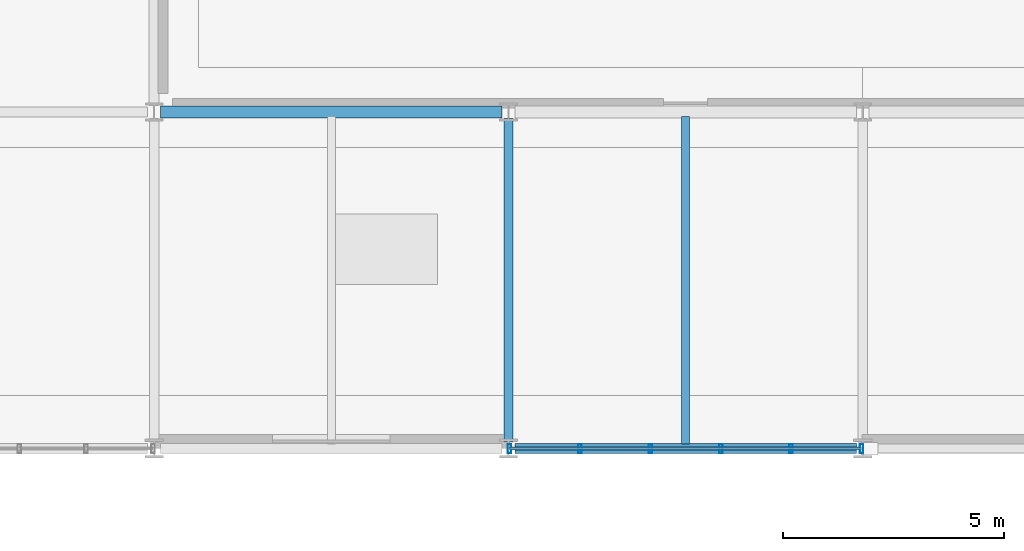
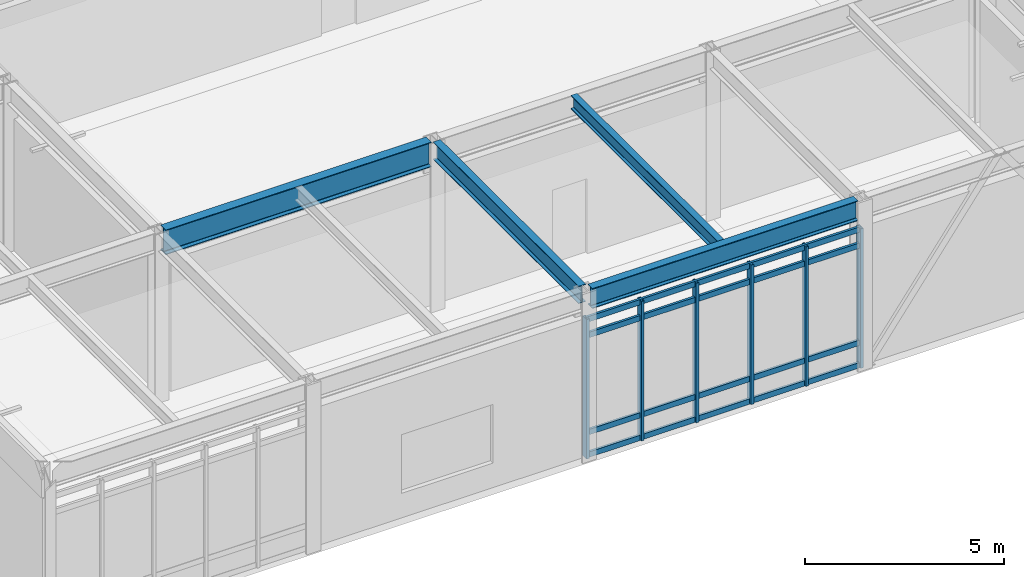
# One storey, part 51 of 94: 10 members, 4 beams, 1 element without a shape of its own.
"""IFC4 building model written with IfcOpenShell, lengths in metres."""

from ifc_helpers import new_model, si_unit, direction, frame, origin, origin_2d, place, context, subcontext, project, spatial, hollow_rectangle, i_section, extrude, material, material_profile, profile_set, type_object, element, aggregate, save


model = new_model("IFC4")

# Units and contexts
model_context = context("Model", 3, precision=1e-05, world=origin(), true_north=direction((0.0, 1.0)))
body_context = subcontext(model_context, "Body", "Model", "MODEL_VIEW")
ifc_project = project(units=[si_unit("LENGTHUNIT", "METRE"), si_unit("AREAUNIT", "SQUARE_METRE"), si_unit("VOLUMEUNIT", "CUBIC_METRE"), si_unit("PLANEANGLEUNIT", "RADIAN"), si_unit("MASSUNIT", "GRAM", prefix="KILO")], contexts=[model_context])

# Site, building, storey
site_placement = place(None, origin())
site = spatial("IfcSite", under=ifc_project, at=site_placement, CompositionType="ELEMENT")
building_placement = place(site_placement, origin())
building = spatial("IfcBuilding", under=site, at=building_placement, Name="Zulena Civic Courthouse", CompositionType="ELEMENT")
storey_placement = place(building_placement, frame((0.0, 0.0, 5.39990234375)))
storey = spatial("IfcBuildingStorey", under=building, at=storey_placement, Name="L01", CompositionType="ELEMENT", Elevation=5.39990234375)

# Curtain wall, members
ifc_material_1 = material(Name="Double-silver low-E laminated solar-control glass", Category="glass")
curtain_wall_type = type_object("IfcCurtainWallType", Name="CW_7952x4280", PredefinedType="USERDEFINED", material=ifc_material_1)
curtain_wall_placement = place(storey_placement, origin())
curtain_wall = element("IfcCurtainWall", 1, at=curtain_wall_placement, inside=storey, type_object=curtain_wall_type, Name="cw:V1:L01:3:3", ObjectType="UNITISED CURTAIN WALL", PredefinedType="USERDEFINED")
ifc_material_2 = material(Name="Bronze anodised thermally broken aluminium AA6063-T6", Category="aluminium")
ifc_material_profile_1 = material_profile(ifc_material_2, hollow_rectangle(XDim=0.080078125, YDim=0.199951171875, WallThickness=0.0048828125, at=origin_2d()), Name="CWM200X80X5")
ifc_profile_set_1 = profile_set([ifc_material_profile_1], Name="Bronze anodised thermally broken aluminium AA6063-T6")
member_type_1 = type_object("IfcMemberType", Name="CWMullion_200x80", PredefinedType="MULLION", material=ifc_profile_set_1)
member_1_placement = place(storey_placement, frame((147.97607421875, 0.0, 0.0), z_axis=(0.0, 0.0, 1.0), x_axis=(1.0, 0.0, 0.0)))
member_1 = element("IfcMember", 2, at=member_1_placement, type_object=member_type_1, Name="cw:V1:L01:3:3:mull:0", PredefinedType="MULLION", context=body_context, shape_type="SweptSolid", body=[
    extrude(hollow_rectangle(XDim=0.080078125, YDim=0.199951171875, WallThickness=0.0048828125, at=origin_2d()), origin(), (0.0, 0.0, 1.0), 4.280029296875),
])
member_2_placement = place(storey_placement, frame((146.385498046875, 0.0, 0.0), z_axis=(0.0, 0.0, 1.0), x_axis=(1.0, 0.0, 0.0)))
member_2 = element("IfcMember", 3, at=member_2_placement, type_object=member_type_1, Name="cw:V1:L01:3:3:mull:1", PredefinedType="MULLION", context=body_context, shape_type="SweptSolid", body=[
    extrude(hollow_rectangle(XDim=0.080078125, YDim=0.199951171875, WallThickness=0.0048828125, at=origin_2d()), origin(), (0.0, 0.0, 1.0), 4.280029296875),
])
member_3_placement = place(storey_placement, frame((144.795166015625, 0.0, 0.0), z_axis=(0.0, 0.0, 1.0), x_axis=(1.0, 0.0, 0.0)))
member_3 = element("IfcMember", 4, at=member_3_placement, type_object=member_type_1, Name="cw:V1:L01:3:3:mull:2", PredefinedType="MULLION", context=body_context, shape_type="SweptSolid", body=[
    extrude(hollow_rectangle(XDim=0.080078125, YDim=0.199951171875, WallThickness=0.0048828125, at=origin_2d()), origin(), (0.0, 0.0, 1.0), 4.280029296875),
])
member_4_placement = place(storey_placement, frame((143.204833984375, 0.0, 0.0), z_axis=(0.0, 0.0, 1.0), x_axis=(1.0, 0.0, 0.0)))
member_4 = element("IfcMember", 5, at=member_4_placement, type_object=member_type_1, Name="cw:V1:L01:3:3:mull:3", PredefinedType="MULLION", context=body_context, shape_type="SweptSolid", body=[
    extrude(hollow_rectangle(XDim=0.080078125, YDim=0.199951171875, WallThickness=0.0048828125, at=origin_2d()), origin(), (0.0, 0.0, 1.0), 4.280029296875),
])
member_5_placement = place(storey_placement, frame((141.614501953125, 0.0, 0.0), z_axis=(0.0, 0.0, 1.0), x_axis=(1.0, 0.0, 0.0)))
member_5 = element("IfcMember", 6, at=member_5_placement, type_object=member_type_1, Name="cw:V1:L01:3:3:mull:4", PredefinedType="MULLION", context=body_context, shape_type="SweptSolid", body=[
    extrude(hollow_rectangle(XDim=0.080078125, YDim=0.199951171875, WallThickness=0.0048828125, at=origin_2d()), origin(), (0.0, 0.0, 1.0), 4.280029296875),
])
member_6_placement = place(storey_placement, frame((140.02392578125, 0.0, 0.0), z_axis=(0.0, 0.0, 1.0), x_axis=(1.0, 0.0, 0.0)))
member_6 = element("IfcMember", 7, at=member_6_placement, type_object=member_type_1, Name="cw:V1:L01:3:3:mull:5", PredefinedType="MULLION", context=body_context, shape_type="SweptSolid", body=[
    extrude(hollow_rectangle(XDim=0.080078125, YDim=0.199951171875, WallThickness=0.0048828125, at=origin_2d()), origin(), (0.0, 0.0, 1.0), 4.280029296875),
])
ifc_material_profile_2 = material_profile(ifc_material_2, hollow_rectangle(XDim=0.070068359375, YDim=0.1650390625, WallThickness=0.00390625, at=origin_2d()), Name="CWT165X70X4")
ifc_profile_set_2 = profile_set([ifc_material_profile_2], Name="Bronze anodised thermally broken aluminium AA6063-T6")
member_type_2 = type_object("IfcMemberType", Name="CWTransom_165x70", PredefinedType="USERDEFINED", material=ifc_profile_set_2)
member_7_placement = place(storey_placement, frame((147.97607421875, 0.0, 0.06005859375), z_axis=(-1.0, 0.0, 0.0), x_axis=(0.0, -1.0, 0.0)))
member_7 = element("IfcMember", 8, at=member_7_placement, type_object=member_type_2, Name="cw:V1:L01:3:3:tran:0", ObjectType="TRANSOM", PredefinedType="USERDEFINED", context=body_context, shape_type="SweptSolid", body=[
    extrude(hollow_rectangle(XDim=0.070068359375, YDim=0.1650390625, WallThickness=0.00390625, at=origin_2d()), origin(), (0.0, 0.0, 1.0), 7.9521484375),
])
member_8_placement = place(storey_placement, frame((147.97607421875, 0.0, 0.75), z_axis=(-1.0, 0.0, 0.0), x_axis=(0.0, -1.0, 0.0)))
member_8 = element("IfcMember", 9, at=member_8_placement, type_object=member_type_2, Name="cw:V1:L01:3:3:tran:1", ObjectType="TRANSOM", PredefinedType="USERDEFINED", context=body_context, shape_type="SweptSolid", body=[
    extrude(hollow_rectangle(XDim=0.070068359375, YDim=0.1650390625, WallThickness=0.00390625, at=origin_2d()), origin(), (0.0, 0.0, 1.0), 7.9521484375),
])
member_9_placement = place(storey_placement, frame((147.97607421875, 0.0, 3.72998046875), z_axis=(-1.0, 0.0, 0.0), x_axis=(0.0, -1.0, 0.0)))
member_9 = element("IfcMember", 10, at=member_9_placement, type_object=member_type_2, Name="cw:V1:L01:3:3:tran:2", ObjectType="TRANSOM", PredefinedType="USERDEFINED", context=body_context, shape_type="SweptSolid", body=[
    extrude(hollow_rectangle(XDim=0.070068359375, YDim=0.1650390625, WallThickness=0.00390625, at=origin_2d()), origin(), (0.0, 0.0, 1.0), 7.9521484375),
])
member_10_placement = place(storey_placement, frame((147.97607421875, 0.0, 4.22021484375), z_axis=(-1.0, 0.0, 0.0), x_axis=(0.0, -1.0, 0.0)))
member_10 = element("IfcMember", 11, at=member_10_placement, type_object=member_type_2, Name="cw:V1:L01:3:3:tran:3", ObjectType="TRANSOM", PredefinedType="USERDEFINED", context=body_context, shape_type="SweptSolid", body=[
    extrude(hollow_rectangle(XDim=0.070068359375, YDim=0.1650390625, WallThickness=0.00390625, at=origin_2d()), origin(), (0.0, 0.0, 1.0), 7.9521484375),
])
aggregate(curtain_wall, [member_1, member_2, member_3, member_4, member_5, member_6, member_7, member_8, member_9, member_10])

# Beams
ifc_material_3 = material(Name="Steel ASTM A992 Grade 50", Category="steel")
ifc_material_profile_3 = material_profile(ifc_material_3, i_section(OverallWidth=0.26708984375, OverallDepth=0.761962890625, WebThickness=0.014404296875, FlangeThickness=0.021484375, FilletRadius=0.0166015625, at=origin_2d()), Name="W30X116")
ifc_profile_set_3 = profile_set([ifc_material_profile_3], Name="Steel ASTM A992 Grade 50")
beam_type_1 = type_object("IfcBeamType", Name="Girder_W30X116", PredefinedType="BEAM", material=ifc_profile_set_3)
beam_1_placement = place(storey_placement, frame((132.14501953125, 7.60009765625, 4.80419921875), z_axis=(1.0, 0.0, 0.0), x_axis=(0.0, 1.0, 0.0)))
element("IfcBeam", 12, at=beam_1_placement, inside=storey, type_object=beam_type_1, Name="beam:X:V1:L01:7.6:132.0_140.0", PredefinedType="BEAM", context=body_context, shape_type="SweptSolid", body=[
    extrude(i_section(OverallWidth=0.26708984375, OverallDepth=0.761962890625, WebThickness=0.014404296875, FlangeThickness=0.021484375, FilletRadius=0.0166015625, at=origin_2d()), origin(), (0.0, 0.0, 1.0), 7.7099609375),
])
ifc_material_profile_4 = material_profile(ifc_material_3, i_section(OverallWidth=0.180908203125, OverallDepth=0.4169921875, WebThickness=0.010986328125, FlangeThickness=0.018310546875, FilletRadius=0.01025390625, at=origin_2d()), Name="W16X57")
ifc_profile_set_4 = profile_set([ifc_material_profile_4], Name="Steel ASTM A992 Grade 50")
beam_type_2 = type_object("IfcBeamType", Name="Joist_W16X57", PredefinedType="JOIST", material=ifc_profile_set_4)
beam_2_placement = place(storey_placement, frame((144.0, 0.10498046875, 4.9765625), z_axis=(0.0, 1.0, 0.0), x_axis=(-1.0, 0.0, 0.0)))
element("IfcBeam", 13, at=beam_2_placement, inside=storey, type_object=beam_type_2, Name="joist:V1:L01:144.00:0.0_7.6", PredefinedType="JOIST", context=body_context, shape_type="SweptSolid", body=[
    extrude(i_section(OverallWidth=0.180908203125, OverallDepth=0.4169921875, WebThickness=0.010986328125, FlangeThickness=0.018310546875, FilletRadius=0.01025390625, at=origin_2d()), origin(), (0.0, 0.0, 1.0), 7.39013671875),
])
ifc_material_profile_5 = material_profile(ifc_material_3, i_section(OverallWidth=0.2099609375, OverallDepth=0.537109375, WebThickness=0.010986328125, FlangeThickness=0.017333984375, FilletRadius=0.0126953125, at=origin_2d()), Name="W21X68")
ifc_profile_set_5 = profile_set([ifc_material_profile_5], Name="Steel ASTM A992 Grade 50")
beam_type_3 = type_object("IfcBeamType", Name="Spandrel_W21X68", PredefinedType="SPANDREL", material=ifc_profile_set_5)
beam_3_placement = place(storey_placement, frame((140.0, 0.14501953125, 4.91650390625), z_axis=(0.0, 1.0, 0.0), x_axis=(-1.0, 0.0, 0.0)))
element("IfcBeam", 14, at=beam_3_placement, inside=storey, type_object=beam_type_3, Name="beam:Y:V1:L01:140.0:0.0_7.6", PredefinedType="SPANDREL", context=body_context, shape_type="SweptSolid", body=[
    extrude(i_section(OverallWidth=0.2099609375, OverallDepth=0.537109375, WebThickness=0.010986328125, FlangeThickness=0.017333984375, FilletRadius=0.0126953125, at=origin_2d()), origin(), (0.0, 0.0, 1.0), 7.31005859375),
])
ifc_material_profile_6 = material_profile(ifc_material_3, i_section(OverallWidth=0.22998046875, OverallDepth=0.616943359375, WebThickness=0.01318359375, FlangeThickness=0.022216796875, FilletRadius=0.0126953125, at=origin_2d()), Name="W24X94")
ifc_profile_set_6 = profile_set([ifc_material_profile_6], Name="Steel ASTM A992 Grade 50")
beam_type_4 = type_object("IfcBeamType", Name="Spandrel_W24X94", PredefinedType="SPANDREL", material=ifc_profile_set_6)
beam_4_placement = place(storey_placement, frame((140.14501953125, 0.0, 4.876708984375), z_axis=(1.0, 0.0, 0.0), x_axis=(0.0, 1.0, 0.0)))
element("IfcBeam", 15, at=beam_4_placement, inside=storey, type_object=beam_type_4, Name="beam:X:V1:L01:0.0:140.0_148.0", PredefinedType="SPANDREL", context=body_context, shape_type="SweptSolid", body=[
    extrude(i_section(OverallWidth=0.22998046875, OverallDepth=0.616943359375, WebThickness=0.01318359375, FlangeThickness=0.022216796875, FilletRadius=0.0126953125, at=origin_2d()), origin(), (0.0, 0.0, 1.0), 7.7099609375),
])

save(model, "model.ifc")
